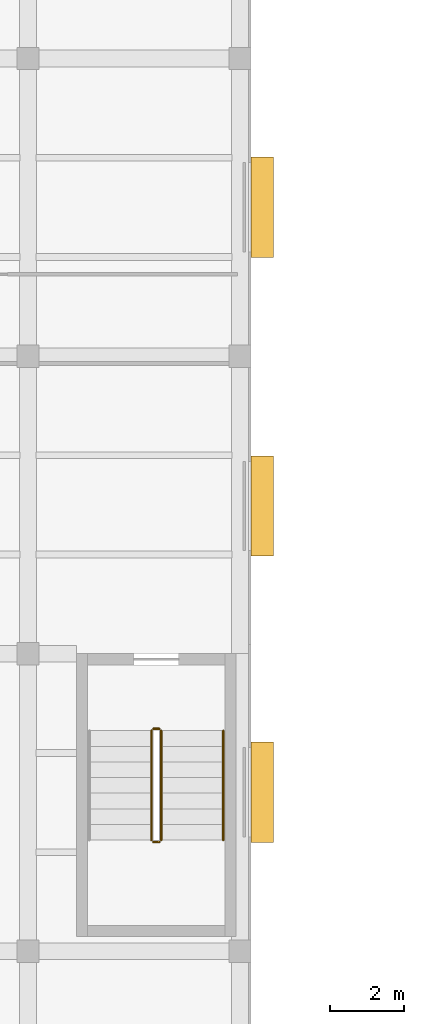
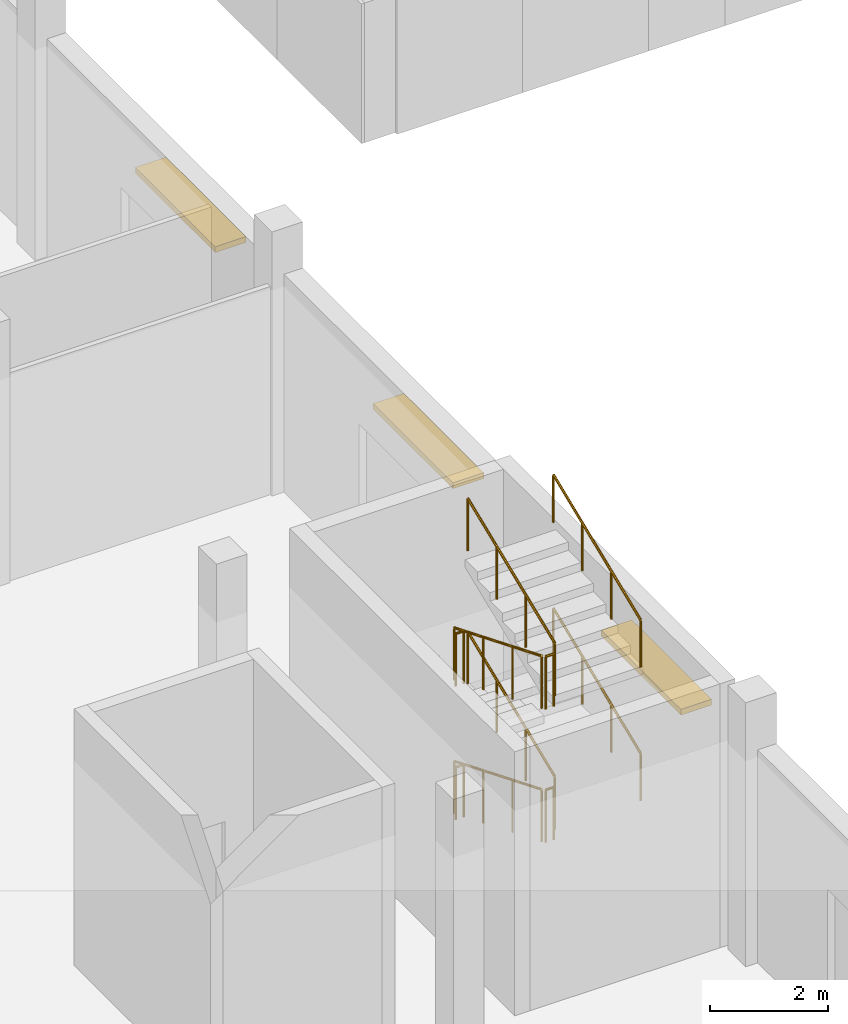
# One storey, part 112 of 132: 10 railings, 3 shading devices.
"""IFC4 building model written with IfcOpenShell, lengths in metres."""

from ifc_helpers import new_model, si_unit, direction, frame, origin, origin_2d, place, context, subcontext, project, spatial, rectangle, circle, extrude, material, layer, layer_set, type_object, element, save


model = new_model("IFC4")

# Units and contexts
model_context = context("Model", 3, precision=1e-05, world=origin(), true_north=direction((0.0, 1.0)))
body_context = subcontext(model_context, "Body", "Model", "MODEL_VIEW")
ifc_project = project(units=[si_unit("LENGTHUNIT", "METRE"), si_unit("AREAUNIT", "SQUARE_METRE"), si_unit("VOLUMEUNIT", "CUBIC_METRE"), si_unit("PLANEANGLEUNIT", "RADIAN"), si_unit("MASSUNIT", "GRAM", prefix="KILO")], contexts=[model_context])

# Site, building, storey
site_placement = place(None, origin())
site = spatial("IfcSite", under=ifc_project, at=site_placement, CompositionType="ELEMENT")
building_placement = place(site_placement, origin())
building = spatial("IfcBuilding", under=site, at=building_placement, Name="Lunette Opera House", CompositionType="ELEMENT")
storey_placement = place(building_placement, frame((0.0, 0.0, 17.0)))
storey = spatial("IfcBuildingStorey", under=building, at=storey_placement, Name="L03", CompositionType="ELEMENT", Elevation=17.0)

# Railings
ifc_material_1 = material(Name="Steel S355", Category="steel")
railing_type_1 = type_object("IfcRailingType", Name="STAIR GUARD 1100", PredefinedType="GUARDRAIL", material=ifc_material_1)
railing_1_placement = place(storey_placement, frame((51.320068359375, 77.929931640625, 0.171875)))
element("IfcRailing", 1, at=railing_1_placement, inside=storey, type_object=railing_type_1, Name="L03 ST16 stair guard 1", PredefinedType="GUARDRAIL", context=body_context, shape_type="SweptSolid", body=[
    extrude(circle(Radius=0.02392578125, at=origin_2d()), frame((0.0, 0.0, 1.076171875), z_axis=(0.0, -0.925500427511, 0.378746562595), x_axis=(1.0, 0.0, 0.0)), (0.0, 0.0, 1.0), 3.176513671875),
    extrude(circle(Radius=0.02099609375, at=origin_2d()), origin(), (0.0, 0.0, 1.0), 1.052001953125),
    extrude(circle(Radius=0.02099609375, at=origin_2d()), frame((0.0, -0.97998046875, 0.401123046875)), (0.0, 0.0, 1.0), 1.052001953125),
    extrude(circle(Radius=0.02099609375, at=origin_2d()), frame((0.0, -1.9599609375, 0.802001953125)), (0.0, 0.0, 1.0), 1.052001953125),
    extrude(circle(Radius=0.02099609375, at=origin_2d()), frame((0.0, -2.93994140625, 1.203125)), (0.0, 0.0, 1.0), 1.052001953125),
])
railing_2_placement = place(storey_placement, frame((51.3701171875, 74.93994140625, 1.375)))
element("IfcRailing", 2, at=railing_2_placement, inside=storey, type_object=railing_type_1, Name="L03 ST16 stair guard 2", PredefinedType="GUARDRAIL", context=body_context, shape_type="SweptSolid", body=[
    extrude(circle(Radius=0.02392578125, at=origin_2d()), frame((0.0, 0.0, 1.076171875), z_axis=(1.0, 0.0, 0.0), x_axis=(0.0, 1.0, 0.0)), (0.0, 0.0, 1.0), 0.159912109375),
    extrude(circle(Radius=0.02099609375, at=origin_2d()), origin(), (0.0, 0.0, 1.0), 1.052001953125),
    extrude(circle(Radius=0.02099609375, at=origin_2d()), frame((0.159912109375, 0.0, 0.0)), (0.0, 0.0, 1.0), 1.052001953125),
])
railing_3_placement = place(storey_placement, frame((51.580078125, 74.989990234375, 1.546875)))
element("IfcRailing", 3, at=railing_3_placement, inside=storey, type_object=railing_type_1, Name="L03 ST16 stair guard 3", PredefinedType="GUARDRAIL", context=body_context, shape_type="SweptSolid", body=[
    extrude(circle(Radius=0.02392578125, at=origin_2d()), frame((0.0, 0.0, 1.076171875), z_axis=(0.0, 0.925500427511, 0.378746562595), x_axis=(-1.0, 0.0, 0.0)), (0.0, 0.0, 1.0), 3.176513671875),
    extrude(circle(Radius=0.02099609375, at=origin_2d()), origin(), (0.0, 0.0, 1.0), 1.052001953125),
    extrude(circle(Radius=0.02099609375, at=origin_2d()), frame((0.0, 0.97998046875, 0.401123046875)), (0.0, 0.0, 1.0), 1.052001953125),
    extrude(circle(Radius=0.02099609375, at=origin_2d()), frame((0.0, 1.9599609375, 0.802001953125)), (0.0, 0.0, 1.0), 1.052001953125),
    extrude(circle(Radius=0.02099609375, at=origin_2d()), frame((0.0, 2.93994140625, 1.203125)), (0.0, 0.0, 1.0), 1.052001953125),
])
railing_4_placement = place(storey_placement, frame((51.3701171875, 77.97998046875, 2.75)))
element("IfcRailing", 4, at=railing_4_placement, inside=storey, type_object=railing_type_1, Name="L03 ST16 stair guard 4", PredefinedType="GUARDRAIL", context=body_context, shape_type="SweptSolid", body=[
    extrude(circle(Radius=0.02392578125, at=origin_2d()), frame((0.0, 0.0, 1.076171875), z_axis=(1.0, 0.0, 0.0), x_axis=(0.0, 1.0, 0.0)), (0.0, 0.0, 1.0), 0.159912109375),
    extrude(circle(Radius=0.02099609375, at=origin_2d()), origin(), (0.0, 0.0, 1.0), 1.052001953125),
    extrude(circle(Radius=0.02099609375, at=origin_2d()), frame((0.159912109375, 0.0, 0.0)), (0.0, 0.0, 1.0), 1.052001953125),
])
railing_5_placement = place(storey_placement, frame((51.320068359375, 77.929931640625, 2.921875)))
element("IfcRailing", 5, at=railing_5_placement, inside=storey, type_object=railing_type_1, Name="L03 ST16 stair guard 5", PredefinedType="GUARDRAIL", context=body_context, shape_type="SweptSolid", body=[
    extrude(circle(Radius=0.02392578125, at=origin_2d()), frame((0.0, 0.0, 1.076171875), z_axis=(0.0, -0.925500427511, 0.378746562595), x_axis=(1.0, 0.0, 0.0)), (0.0, 0.0, 1.0), 3.176513671875),
    extrude(circle(Radius=0.02099609375, at=origin_2d()), origin(), (0.0, 0.0, 1.0), 1.052001953125),
    extrude(circle(Radius=0.02099609375, at=origin_2d()), frame((0.0, -0.97998046875, 0.401123046875)), (0.0, 0.0, 1.0), 1.052001953125),
    extrude(circle(Radius=0.02099609375, at=origin_2d()), frame((0.0, -1.9599609375, 0.802001953125)), (0.0, 0.0, 1.0), 1.052001953125),
    extrude(circle(Radius=0.02099609375, at=origin_2d()), frame((0.0, -2.93994140625, 1.203125)), (0.0, 0.0, 1.0), 1.052001953125),
])
railing_6_placement = place(storey_placement, frame((51.3701171875, 74.93994140625, 4.125)))
element("IfcRailing", 6, at=railing_6_placement, inside=storey, type_object=railing_type_1, Name="L03 ST16 stair guard 6", PredefinedType="GUARDRAIL", context=body_context, shape_type="SweptSolid", body=[
    extrude(circle(Radius=0.02392578125, at=origin_2d()), frame((0.0, 0.0, 1.076171875), z_axis=(1.0, 0.0, 0.0), x_axis=(0.0, 1.0, 0.0)), (0.0, 0.0, 1.0), 0.159912109375),
    extrude(circle(Radius=0.02099609375, at=origin_2d()), origin(), (0.0, 0.0, 1.0), 1.052001953125),
    extrude(circle(Radius=0.02099609375, at=origin_2d()), frame((0.159912109375, 0.0, 0.0)), (0.0, 0.0, 1.0), 1.052001953125),
])
railing_7_placement = place(storey_placement, frame((51.580078125, 74.989990234375, 4.296875)))
element("IfcRailing", 7, at=railing_7_placement, inside=storey, type_object=railing_type_1, Name="L03 ST16 stair guard 7", PredefinedType="GUARDRAIL", context=body_context, shape_type="SweptSolid", body=[
    extrude(circle(Radius=0.02392578125, at=origin_2d()), frame((0.0, 0.0, 1.076171875), z_axis=(0.0, 0.925500427511, 0.378746562595), x_axis=(-1.0, 0.0, 0.0)), (0.0, 0.0, 1.0), 3.176513671875),
    extrude(circle(Radius=0.02099609375, at=origin_2d()), origin(), (0.0, 0.0, 1.0), 1.052001953125),
    extrude(circle(Radius=0.02099609375, at=origin_2d()), frame((0.0, 0.97998046875, 0.401123046875)), (0.0, 0.0, 1.0), 1.052001953125),
    extrude(circle(Radius=0.02099609375, at=origin_2d()), frame((0.0, 1.9599609375, 0.802001953125)), (0.0, 0.0, 1.0), 1.052001953125),
    extrude(circle(Radius=0.02099609375, at=origin_2d()), frame((0.0, 2.93994140625, 1.203125)), (0.0, 0.0, 1.0), 1.052001953125),
])
railing_8_placement = place(storey_placement, frame((51.3701171875, 77.97998046875, 0.0)))
element("IfcRailing", 8, at=railing_8_placement, inside=storey, type_object=railing_type_1, Name="L03 ST16 stair guard 8", PredefinedType="GUARDRAIL", context=body_context, shape_type="SweptSolid", body=[
    extrude(circle(Radius=0.02392578125, at=origin_2d()), frame((0.0, 0.0, 1.076171875), z_axis=(1.0, 0.0, 0.0), x_axis=(0.0, 1.0, 0.0)), (0.0, 0.0, 1.0), 0.159912109375),
    extrude(circle(Radius=0.02099609375, at=origin_2d()), origin(), (0.0, 0.0, 1.0), 1.052001953125),
    extrude(circle(Radius=0.02099609375, at=origin_2d()), frame((0.159912109375, 0.0, 0.0)), (0.0, 0.0, 1.0), 1.052001953125),
])
ifc_material_2 = material(Name="Steel S355", Category="steel")
railing_type_2 = type_object("IfcRailingType", Name="STAIR HANDRAIL 1000", PredefinedType="HANDRAIL", material=ifc_material_2)
for number, where, name in (
    (9, (53.25, 74.989990234375, 1.546875), "L03 ST16 stair handrail 2"),
    (10, (53.25, 74.989990234375, 4.296875), "L03 ST16 stair handrail 4"),
):
    element("IfcRailing", number, at=place(storey_placement, frame(where)), inside=storey, type_object=railing_type_2, Name=name, PredefinedType="HANDRAIL", context=body_context, shape_type="SweptSolid", body=[
        extrude(circle(Radius=0.02392578125, at=origin_2d()), frame((0.0, 0.0, 0.97607421875), z_axis=(0.0, 0.925500427511, 0.378746562595), x_axis=(-1.0, 0.0, 0.0)), (0.0, 0.0, 1.0), 3.176513671875),
        extrude(circle(Radius=0.02099609375, at=origin_2d()), origin(), (0.0, 0.0, 1.0), 0.951904296875),
        extrude(circle(Radius=0.02099609375, at=origin_2d()), frame((0.0, 0.97998046875, 0.401123046875)), (0.0, 0.0, 1.0), 0.951904296875),
        extrude(circle(Radius=0.02099609375, at=origin_2d()), frame((0.0, 1.9599609375, 0.802001953125)), (0.0, 0.0, 1.0), 0.951904296875),
        extrude(circle(Radius=0.02099609375, at=origin_2d()), frame((0.0, 2.93994140625, 1.203125)), (0.0, 0.0, 1.0), 0.951904296875),
    ])

# Shading devices
ifc_material_3 = material(Name="Powder-coated aluminium", Category="aluminium")
ifc_layer = layer(ifc_material_3, 0.1201171875)
ifc_layer_set = layer_set([ifc_layer], Name="Powder-coated aluminium")
shading_device_type = type_object("IfcShadingDeviceType", Name="WINDOW HOOD 600 X 2700", PredefinedType="USERDEFINED", material=ifc_layer_set)
for number, where, z_axis, x_axis, name in (
    (11, (54.300048828125, 76.27294921875, 3.079833984375), (0.0, 0.0, 1.0), (1.0, 0.0, 0.0), "Window hood RW-N2038"),
    (12, (54.300048828125, 83.971923828125, 3.079833984375), (0.0, 0.0, 1.0), (1.0, 0.0, 0.0), "Window hood RW-N2039"),
    (13, (54.300048828125, 92.0, 3.079833984375), (0.0, 0.0, 1.0), (1.0, 0.0, 0.0), "Window hood RW-N2040"),
):
    element("IfcShadingDevice", number, at=place(storey_placement, frame(where, z_axis=z_axis, x_axis=x_axis)), inside=storey, type_object=shading_device_type, Name=name, ObjectType="WINDOW HOOD", PredefinedType="USERDEFINED", context=body_context, shape_type="SweptSolid", body=[
        extrude(rectangle(XDim=0.60009765625, YDim=2.699951171875, at=origin_2d()), origin(), (0.0, 0.0, 1.0), 0.1201171875),
    ])

save(model, "model.ifc")
